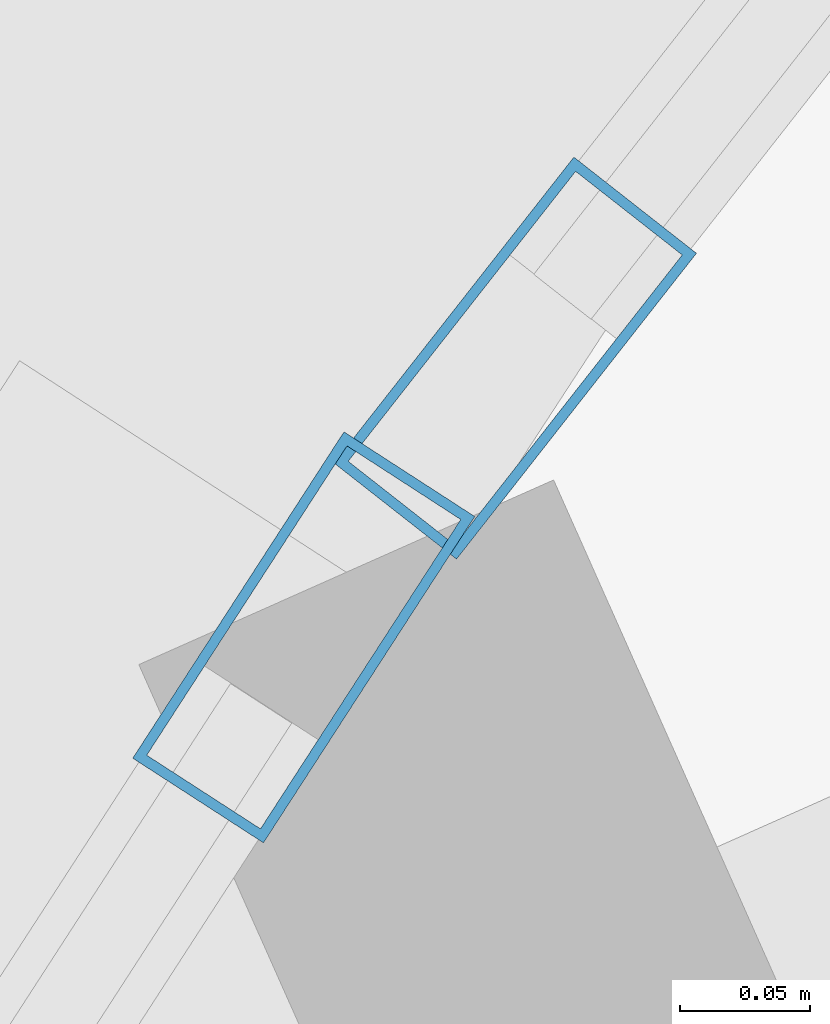
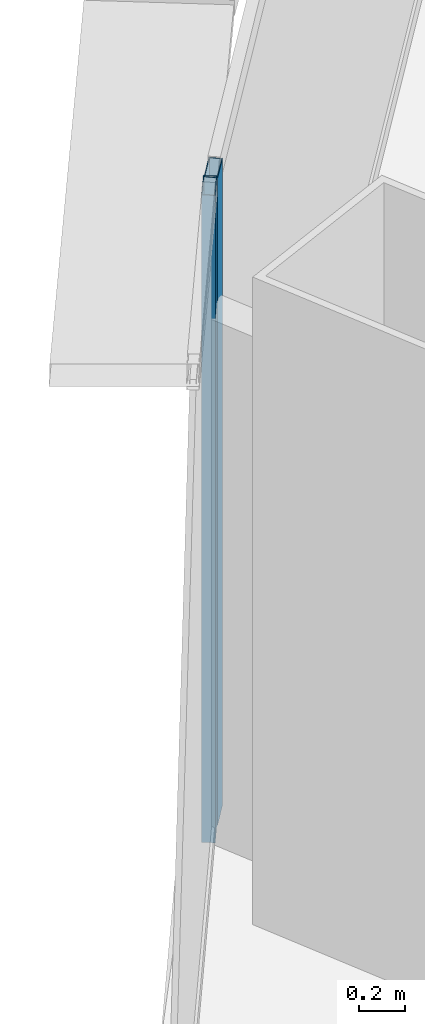
# One storey, part 18 of 39: 2 members, 2 elements without a shape of their own.
"""IFC4 building model written with IfcOpenShell, lengths in metres."""

import ifcopenshell
import ifcopenshell.guid

model = None  # the IFC model being written
_history = None  # IfcOwnerHistory: only IFC2X3 demands one
_inside = {}  # id of a spatial element -> (the spatial element, [elements in it])
_under = {}  # id of a project, library or spatial element -> (it, [spatial elements below it])
_declared = {}  # id of a project -> (the project, [libraries it declares])
_typed = {}  # id of a type object -> (the type object, [elements of that type])
_made_of = {}  # id of a material, layer set ... -> (it, [elements and type objects made of it])


def new_model(schema):
    """Start an empty IFC model of exactly this schema.

    Asked for "IFC4X3", IfcOpenShell would pick the latest addendum, in which some entities
    have other attributes; the version numbers below select the first issue.
    IFC2X3 requires an IfcOwnerHistory on every rooted entity: one is made here for all.
    """
    global model, _history
    if schema == "IFC4X3":
        model = ifcopenshell.file(schema_version=(4, 3, 0, 0))
    else:
        model = ifcopenshell.file(schema=schema)
    _inside.clear()
    _under.clear()
    _declared.clear()
    _typed.clear()
    _made_of.clear()
    _history = None
    if model.schema == "IFC2X3":
        org = make("IfcOrganization", Name="unknown")
        user = make(
            "IfcPersonAndOrganization",
            ThePerson=make("IfcPerson", FamilyName="unknown"),
            TheOrganization=org,
        )
        app = make(
            "IfcApplication",
            ApplicationDeveloper=org,
            Version="unknown",
            ApplicationFullName="unknown",
            ApplicationIdentifier="unknown",
        )
        _history = make(
            "IfcOwnerHistory",
            OwningUser=user,
            OwningApplication=app,
            ChangeAction="ADDED",
            CreationDate=0,
        )
    return model


def make(cls, **values):
    """One entity of the class cls with the attributes given. An attribute that is None is left unset."""
    return model.create_entity(
        cls, **{name: value for name, value in values.items() if value is not None}
    )


def rooted(cls, **values):
    """An entity with a GlobalId (a new one), such as an element, a storey or a relation."""
    return make(cls, GlobalId=ifcopenshell.guid.new(), OwnerHistory=_history, **values)


def si_unit(unit_type, name, prefix=None):
    """IfcSIUnit, for example si_unit("LENGTHUNIT", "METRE", prefix="MILLI")."""
    return make("IfcSIUnit", UnitType=unit_type, Prefix=prefix, Name=name)


def assignment(units):
    """IfcUnitAssignment: the units of a project."""
    return None if units is None else make("IfcUnitAssignment", Units=units)


def point(xyz):
    """IfcCartesianPoint."""
    return None if xyz is None else make("IfcCartesianPoint", Coordinates=xyz)


def direction(xyz):
    """IfcDirection."""
    return None if xyz is None else make("IfcDirection", DirectionRatios=xyz)


def frame(location, z_axis=None, x_axis=None):
    """IfcAxis2Placement3D, a coordinate frame: its origin and axes. An axis left out is left unset."""
    return make(
        "IfcAxis2Placement3D",
        Location=point(location),
        Axis=direction(z_axis),
        RefDirection=direction(x_axis),
    )


def frame_2d(location, x_axis=None):
    """IfcAxis2Placement2D, a coordinate frame in the plane: its origin and x axis."""
    return make(
        "IfcAxis2Placement2D", Location=point(location), RefDirection=direction(x_axis)
    )


def origin():
    """The frame at (0, 0, 0) with its axes left unset."""
    return frame((0.0, 0.0, 0.0))


def origin_2d():
    """The frame at (0, 0) in the plane with its x axis left unset."""
    return frame_2d((0.0, 0.0))


def place(relative_to, where):
    """IfcLocalPlacement: puts the frame where relative to a parent placement (None: the world)."""
    return make(
        "IfcLocalPlacement", PlacementRelTo=relative_to, RelativePlacement=where
    )


def context(
    kind, dimensions, precision=None, world=None, true_north=None, identifier=None
):
    """IfcGeometricRepresentationContext, for example the 3D "Model" context."""
    return make(
        "IfcGeometricRepresentationContext",
        ContextIdentifier=identifier,
        ContextType=kind,
        CoordinateSpaceDimension=dimensions,
        Precision=precision,
        WorldCoordinateSystem=world,
        TrueNorth=true_north,
    )


def subcontext(parent, identifier, kind, view, scale=None):
    """IfcGeometricRepresentationSubContext, for example "Body" below "Model"."""
    return make(
        "IfcGeometricRepresentationSubContext",
        ContextIdentifier=identifier,
        ContextType=kind,
        ParentContext=parent,
        TargetScale=scale,
        TargetView=view,
    )


def project(units=None, contexts=None):
    """IfcProject with its units and contexts."""
    return rooted(
        "IfcProject",
        Name="project",
        RepresentationContexts=contexts,
        UnitsInContext=assignment(units),
    )


def spatial(cls, under=None, at=None, **own):
    """A site, building, storey or space (cls), placed at a placement, below another one or the project."""
    s = rooted(cls, ObjectPlacement=at, **own)
    if under is not None:
        _under.setdefault(under.id(), (under, []))[1].append(s)
    return s


def profile(cls, at=None, kind="AREA", **sizes):
    """A parametric profile (cls). Its sizes go by their IFC names, for example OverallWidth=200.0."""
    return make(cls, ProfileType=kind, Position=at, **sizes)


def hollow_rectangle(**sizes):
    """IfcRectangleHollowProfileDef."""
    return profile("IfcRectangleHollowProfileDef", **sizes)


def extrude(swept, where, along, depth):
    """IfcExtrudedAreaSolid: the profile swept, set in the frame where, extruded along a direction by depth."""
    return make(
        "IfcExtrudedAreaSolid",
        SweptArea=swept,
        Position=where,
        ExtrudedDirection=direction(along),
        Depth=depth,
    )


def shape(context_of_items, identifier, shape_type, items):
    """IfcShapeRepresentation: the items that make up one representation, for example the "Body"."""
    return make(
        "IfcShapeRepresentation",
        ContextOfItems=context_of_items,
        RepresentationIdentifier=identifier,
        RepresentationType=shape_type,
        Items=items,
    )


def source(mapping_origin, context_of_items, identifier, shape_type, items):
    """IfcRepresentationMap: a shape defined once, which mapped items show again and again."""
    return make(
        "IfcRepresentationMap",
        MappingOrigin=mapping_origin,
        MappedRepresentation=shape(context_of_items, identifier, shape_type, items),
    )


def transform(
    local_origin,
    x_axis=None,
    y_axis=None,
    z_axis=None,
    scale=None,
    scale2=None,
    scale3=None,
    uniform=True,
):
    """IfcCartesianTransformationOperator3D, or its non-uniform kind. x_axis, y_axis, z_axis: its Axis1, 2, 3."""
    if uniform:
        return make(
            "IfcCartesianTransformationOperator3D",
            Axis1=direction(x_axis),
            Axis2=direction(y_axis),
            LocalOrigin=point(local_origin),
            Scale=scale,
            Axis3=direction(z_axis),
        )
    return make(
        "IfcCartesianTransformationOperator3DnonUniform",
        Axis1=direction(x_axis),
        Axis2=direction(y_axis),
        LocalOrigin=point(local_origin),
        Scale=scale,
        Axis3=direction(z_axis),
        Scale2=scale2,
        Scale3=scale3,
    )


def mapped(mapping_source, mapping_target):
    """IfcMappedItem: shows the shape of a source again, moved by a transform."""
    return make(
        "IfcMappedItem", MappingSource=mapping_source, MappingTarget=mapping_target
    )


def material(Name=None, Category=None):
    """IfcMaterial."""
    return make("IfcMaterial", Name=Name, Category=Category)


def layer(
    of_material, thickness, ventilated=None, Name=None, Category=None, Priority=None
):
    """IfcMaterialLayer: one layer of a wall or slab, of a material (None: an air gap)."""
    return make(
        "IfcMaterialLayer",
        Material=of_material,
        LayerThickness=thickness,
        IsVentilated=ventilated,
        Name=Name,
        Category=Category,
        Priority=Priority,
    )


def layer_set(layers, Name=None):
    """IfcMaterialLayerSet."""
    return make("IfcMaterialLayerSet", MaterialLayers=layers, LayerSetName=Name)


def material_profile(
    of_material, cross_section, Name=None, Category=None, Priority=None
):
    """IfcMaterialProfile: a cross section and its material."""
    return make(
        "IfcMaterialProfile",
        Name=Name,
        Material=of_material,
        Profile=cross_section,
        Priority=Priority,
        Category=Category,
    )


def profile_set(profiles, Name=None, composite=None):
    """IfcMaterialProfileSet."""
    return make(
        "IfcMaterialProfileSet",
        Name=Name,
        MaterialProfiles=profiles,
        CompositeProfile=composite,
    )


def made_of(thing, what):
    """Note that an element or type object is made of a material, layer set ...; save() writes the relation."""
    if what is not None:
        _made_of.setdefault(what.id(), (what, []))[1].append(thing)
    return thing


def type_object(cls, material=None, **own):
    """A type object (cls), such as IfcWallType, which elements share."""
    return made_of(rooted(cls, **own), material)


def element(
    cls,
    number,
    at=None,
    inside=None,
    cuts=None,
    type_object=None,
    material=None,
    context=None,
    identifier="Body",
    shape_type=None,
    held_by="IfcProductDefinitionShape",
    body=None,
    shapes=None,
    **own,
):
    """One element of the class cls, such as IfcWall. Its Tag is "e" and its number.

    at: its placement. inside: the storey or other place that contains it. cuts: it is an
    opening in that element (IfcRelVoidsElement). A single representation is given by context,
    identifier, shape_type and body (its items); several are given by shapes. held_by: the class
    of the entity that holds the representations. save() writes the other relations.
    """
    e = rooted(cls, Tag="e%d" % number, ObjectPlacement=at, **own)
    if body is not None:
        shapes = [shape(context, identifier, shape_type, body)]
    if shapes is not None:
        e.Representation = make(held_by, Representations=shapes)
    if inside is not None:
        _inside.setdefault(inside.id(), (inside, []))[1].append(e)
    if cuts is not None:
        rooted(
            "IfcRelVoidsElement", RelatingBuildingElement=cuts, RelatedOpeningElement=e
        )
    if type_object is not None:
        _typed.setdefault(type_object.id(), (type_object, []))[1].append(e)
    return made_of(e, material)


def aggregate(whole, parts):
    """IfcRelAggregates: a whole, such as a stair, and the parts it consists of."""
    return rooted("IfcRelAggregates", RelatingObject=whole, RelatedObjects=parts)


def save(model, path):
    """Write the relations noted so far, then the file.

    IfcRelAggregates (storeys below a building ...), IfcRelContainedInSpatialStructure (elements
    in a storey), IfcRelDefinesByType, IfcRelAssociatesMaterial and IfcRelDeclares: one each for
    every whole, place, type object, material and project.
    """
    for whole, parts in _under.values():
        aggregate(whole, parts)
    for where, things in _inside.values():
        rooted(
            "IfcRelContainedInSpatialStructure",
            RelatedElements=things,
            RelatingStructure=where,
        )
    for kind, things in _typed.values():
        rooted("IfcRelDefinesByType", RelatedObjects=things, RelatingType=kind)
    for what, things in _made_of.values():
        rooted("IfcRelAssociatesMaterial", RelatedObjects=things, RelatingMaterial=what)
    for by, libraries in _declared.values():
        rooted("IfcRelDeclares", RelatingContext=by, RelatedDefinitions=libraries)
    model.write(path)


model = new_model("IFC4")

# Units and contexts
model_context = context("Model", 3, precision=1e-05, world=origin(), true_north=direction((0.0, 1.0)))
body_context = subcontext(model_context, "Body", "Model", "MODEL_VIEW")
ifc_project = project(units=[si_unit("LENGTHUNIT", "METRE"), si_unit("AREAUNIT", "SQUARE_METRE"), si_unit("VOLUMEUNIT", "CUBIC_METRE"), si_unit("PLANEANGLEUNIT", "RADIAN"), si_unit("MASSUNIT", "GRAM", prefix="KILO"), si_unit("THERMODYNAMICTEMPERATUREUNIT", "KELVIN"), si_unit("POWERUNIT", "WATT")], contexts=[model_context])

# Site, building, storey
site_placement = place(None, origin())
site = spatial("IfcSite", under=ifc_project, at=site_placement, CompositionType="ELEMENT")
building_placement = place(site_placement, origin())
building = spatial("IfcBuilding", under=site, at=building_placement, Name="Yunzhuo Pagoda Commons", CompositionType="ELEMENT")
storey_placement = place(building_placement, frame((0.0, 0.0, 166.6298828125)))
storey = spatial("IfcBuildingStorey", under=building, at=storey_placement, Name="L42", CompositionType="ELEMENT", Elevation=166.6298828125)

# Curtain wall, member
ifc_material = material(Name="Anodized aluminium 6063-T6", Category="aluminium")
ifc_layer = layer(ifc_material, 0.14990234375)
ifc_layer_set = layer_set([ifc_layer], Name="Anodized aluminium 6063-T6")
curtain_wall_type = type_object("IfcCurtainWallType", Name="CW-MID Mid-Zone Ribbon Curtain Wall", PredefinedType="NOTDEFINED", material=ifc_layer_set)
curtain_wall_1_placement = place(storey_placement, origin())
curtain_wall_1 = element("IfcCurtainWall", 1, at=curtain_wall_1_placement, inside=storey, type_object=curtain_wall_type, Name="L42 curtain wall CW-L42-F3B2", PredefinedType="NOTDEFINED")
ifc_material_profile = material_profile(ifc_material, hollow_rectangle(XDim=0.06005859375, YDim=0.14990234375, WallThickness=0.00390625, at=origin_2d()), Name="Anodized aluminium 6063-T6")
ifc_profile_set = profile_set([ifc_material_profile], Name="Anodized aluminium 6063-T6")
member_type = type_object("IfcMemberType", Name="CW-MID-M Mullion RHS 150x60x4", PredefinedType="MULLION", material=ifc_profile_set)
shared_shape = source(origin(), body_context, "Body", "SweptSolid", [
    extrude(hollow_rectangle(XDim=0.06005859375, YDim=0.14990234375, WallThickness=0.00390625, at=origin_2d()), origin(), (0.0, 0.0, 1.0), 3.420166015625),
])
member_1_placement = place(storey_placement, frame((32.150390625, 69.23681640625, 0.0), z_axis=(0.0, 0.0, 1.0), x_axis=(0.839466065689, -0.543412113002, 0.0)))
member_1 = element("IfcMember", 2, at=member_1_placement, type_object=member_type, Name="CW mullion 1", PredefinedType="MULLION", context=body_context, shape_type="MappedRepresentation", body=[
    mapped(shared_shape, transform((0.0, 0.0, 0.0), scale=1.0)),
])
aggregate(curtain_wall_1, [member_1])

curtain_wall_2_placement = place(storey_placement, origin())
curtain_wall_2 = element("IfcCurtainWall", 3, at=curtain_wall_2_placement, inside=storey, type_object=curtain_wall_type, Name="L42 curtain wall CW-L42-F3B1", PredefinedType="NOTDEFINED")
member_2_placement = place(storey_placement, frame((32.23193359375, 69.344482421875, 0.0), z_axis=(0.0, 0.0, 1.0), x_axis=(0.786855306064, -0.617137527071, 0.0)))
member_2 = element("IfcMember", 4, at=member_2_placement, type_object=member_type, Name="CW mullion 2", PredefinedType="MULLION", context=body_context, shape_type="MappedRepresentation", body=[
    mapped(shared_shape, transform((0.0, 0.0, 0.0), scale=1.0)),
])
aggregate(curtain_wall_2, [member_2])

save(model, "model.ifc")
